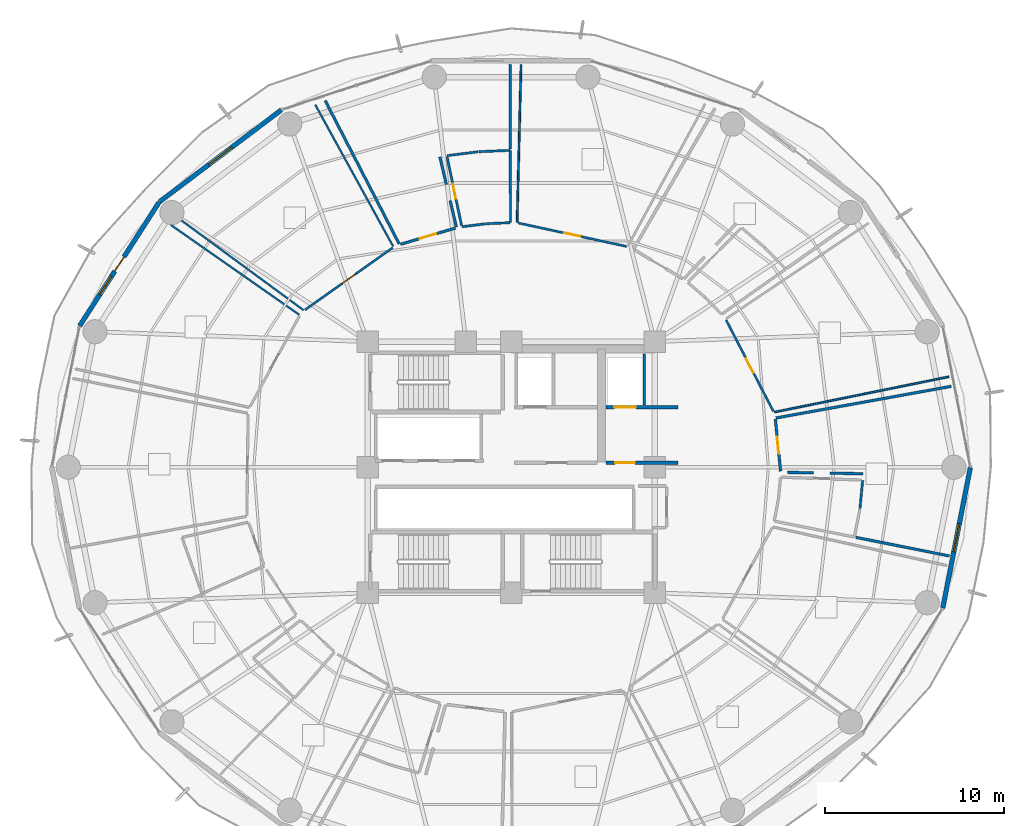
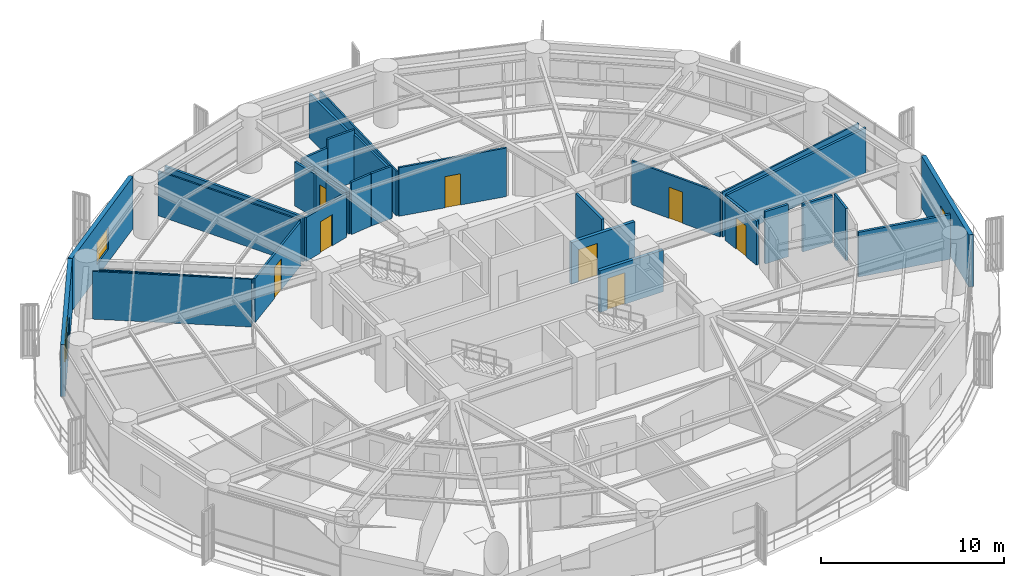
# One storey, part 31 of 35: 31 walls, 9 doors, 3 windows, 12 openings.
"""IFC4 building model written with IfcOpenShell, lengths in metres."""

from ifc_helpers import new_model, si_unit, direction, frame, frame_2d, origin, place, context, subcontext, project, spatial, rectangle, extrude, material, layer, layer_set, type_object, element, fill, save


model = new_model("IFC4")

# Units and contexts
model_context = context("Model", 3, precision=1e-05, world=origin(), true_north=direction((0.0, 1.0)))
body_context = subcontext(model_context, "Body", "Model", "MODEL_VIEW")
ifc_project = project(units=[si_unit("LENGTHUNIT", "METRE"), si_unit("AREAUNIT", "SQUARE_METRE"), si_unit("VOLUMEUNIT", "CUBIC_METRE"), si_unit("PLANEANGLEUNIT", "RADIAN"), si_unit("MASSUNIT", "GRAM", prefix="KILO")], contexts=[model_context])

# Site, building, storey
site_placement = place(None, origin())
site = spatial("IfcSite", under=ifc_project, at=site_placement, CompositionType="ELEMENT")
building_placement = place(site_placement, origin())
building = spatial("IfcBuilding", under=site, at=building_placement, Name="Kelanora Arch Commons", CompositionType="ELEMENT")
storey_placement = place(building_placement, frame((0.0, 0.0, 117.60009765625)))
storey = spatial("IfcBuildingStorey", under=building, at=storey_placement, Name="L30", CompositionType="ELEMENT", Elevation=117.60009765625)

# Wall
ifc_material_1 = material(Name="Autoclaved aerated concrete blockwork with fire plaster", Category="masonry")
ifc_layer_1 = layer(ifc_material_1, 0.14990234375)
ifc_layer_set_1 = layer_set([ifc_layer_1], Name="Autoclaved aerated concrete blockwork with fire plaster")
wall_type_1 = type_object("IfcWallType", Name="W-COMP-150", PredefinedType="PARTITIONING", material=ifc_layer_set_1)
wall_1_placement = place(storey_placement, frame((81.419921875, 61.47998046875, 0.0), z_axis=(0.0, 0.0, 1.0), x_axis=(0.0, 1.0, 0.0)))
element("IfcWall", 1, at=wall_1_placement, inside=storey, type_object=wall_type_1, Name="Firefighting Lift 2 East Shaft Wall L30", PredefinedType="PARTITIONING", context=body_context, shape_type="SweptSolid", body=[
    extrude(rectangle(XDim=2.840087890625, YDim=0.14990234375, at=frame_2d((1.419921875, 0.0))), origin(), (0.0, 0.0, 1.0), 3.47998046875),
])

# Wall, opening, door
wall_2_placement = place(storey_placement, frame((70.900390625, 71.3310546875, 0.0), z_axis=(0.0, 0.0, 1.0), x_axis=(-0.958905255717, -0.283726471373, 0.0)))
wall_2 = element("IfcWall", 2, at=wall_2_placement, inside=storey, type_object=wall_type_1, Name="Co-Living Studio L30-03 Entry Partition", PredefinedType="PARTITIONING", context=body_context, shape_type="SweptSolid", body=[
    extrude(rectangle(XDim=3.193115234375, YDim=0.14990234375, at=frame_2d((1.5966796875, 0.0))), origin(), (0.0, 0.0, 1.0), 2.9248046875),
])
opening_1_placement = place(wall_2_placement, frame((1.1220703125, 0.0, 0.0)))
opening_1 = element("IfcOpeningElement", 3, at=opening_1_placement, cuts=wall_2, Name="Opening D-CLU1", PredefinedType="OPENING", context=body_context, shape_type="SweptSolid", body=[
    extrude(rectangle(XDim=0.949951171875, YDim=2.080078125, at=frame_2d((0.47509765625, 1.0400390625))), frame((0.0, 0.0849609375, 0.0), z_axis=(0.0, -1.0, 0.0), x_axis=(1.0, 0.0, 0.0)), (0.0, 0.0, 1.0), 0.169921875),
])
ifc_material_2 = material(Name="Solid-core acoustic timber cluster entry fire door", Category="wood")
door_type_1 = type_object("IfcDoorType", Name="D-CLU-95", OperationType="NOTDEFINED", PredefinedType="DOOR", material=ifc_material_2)
door_1_placement = place(opening_1_placement, origin())
door_1 = element("IfcDoor", 4, at=door_1_placement, inside=storey, type_object=door_type_1, Name="Co-Living Studio L30-03 Door", OperationType="SINGLE_SWING_LEFT", OverallHeight=2.080078125, OverallWidth=0.949951171875, PredefinedType="DOOR", context=body_context, shape_type="SweptSolid", body=[
    extrude(rectangle(XDim=0.949951171875, YDim=2.080078125, at=frame_2d((0.47509765625, 1.0400390625))), frame((0.0, 0.02490234375, 0.0), z_axis=(0.0, -1.0, 0.0), x_axis=(1.0, 0.0, 0.0)), (0.0, 0.0, 1.0), 0.050048828125),
])
fill(opening_1, door_1)

wall_3_placement = place(storey_placement, frame((89.02099609375, 57.77880859375, 0.0), z_axis=(0.0, 0.0, 1.0), x_axis=(-0.099902017985, 0.994997279797, 0.0)))
wall_3 = element("IfcWall", 5, at=wall_3_placement, inside=storey, type_object=wall_type_1, Name="Co-Living Studio L30-13 Entry Partition", PredefinedType="PARTITIONING", context=body_context, shape_type="SweptSolid", body=[
    extrude(rectangle(XDim=2.9130859375, YDim=0.14990234375, at=frame_2d((1.45654296875, 0.0))), origin(), (0.0, 0.0, 1.0), 2.9248046875),
])
opening_2_placement = place(wall_3_placement, frame((0.98193359375, 0.0, 0.0)))
opening_2 = element("IfcOpeningElement", 6, at=opening_2_placement, cuts=wall_3, Name="Opening D-CLU1", PredefinedType="OPENING", context=body_context, shape_type="SweptSolid", body=[
    extrude(rectangle(XDim=0.949951171875, YDim=2.080078125, at=frame_2d((0.47509765625, 1.0400390625))), frame((0.0, 0.0849609375, 0.0), z_axis=(0.0, -1.0, 0.0), x_axis=(1.0, 0.0, 0.0)), (0.0, 0.0, 1.0), 0.169921875),
])
door_2_placement = place(opening_2_placement, origin())
door_2 = element("IfcDoor", 7, at=door_2_placement, inside=storey, type_object=door_type_1, Name="Co-Living Studio L30-13 Door", OperationType="SINGLE_SWING_LEFT", OverallHeight=2.080078125, OverallWidth=0.949951171875, PredefinedType="DOOR", context=body_context, shape_type="SweptSolid", body=[
    extrude(rectangle(XDim=0.949951171875, YDim=2.080078125, at=frame_2d((0.47509765625, 1.0400390625))), frame((0.0, 0.02490234375, 0.0), z_axis=(0.0, -1.0, 0.0), x_axis=(1.0, 0.0, 0.0)), (0.0, 0.0, 1.0), 0.050048828125),
])
fill(opening_2, door_2)

# Walls
wall_4_placement = place(storey_placement, frame((67.7626953125, 70.443603515625, 0.0), z_axis=(0.0, 0.0, 1.0), x_axis=(-0.458694817529, 0.888593869196, 0.0)))
element("IfcWall", 8, at=wall_4_placement, inside=storey, type_object=wall_type_1, Name="Co-Living Studio L30-03 Enclosure Partition 2", PredefinedType="PARTITIONING", context=body_context, shape_type="SweptSolid", body=[
    extrude(rectangle(XDim=8.987060546875, YDim=0.14990234375, at=frame_2d((4.49365234375, 0.0))), origin(), (0.0, 0.0, 1.0), 2.974853515625),
])
wall_5_placement = place(storey_placement, frame((73.944091796875, 80.43994140625, 0.0), z_axis=(0.0, 0.0, 1.0), x_axis=(0.002493887397, -0.999996890258, 0.0)))
element("IfcWall", 9, at=wall_5_placement, inside=storey, type_object=wall_type_1, Name="Co-Living Studio L30-03 Enclosure Partition 5", PredefinedType="PARTITIONING", context=body_context, shape_type="SweptSolid", body=[
    extrude(rectangle(XDim=4.698974609375, YDim=0.14990234375, at=frame_2d((2.349609375, 0.0))), origin(), (0.0, 0.0, 1.0), 2.974853515625),
])
wall_6_placement = place(storey_placement, frame((70.031005859375, 75.296142578125, 0.0), z_axis=(0.0, 0.0, 1.0), x_axis=(0.228651551475, -0.973508329707, 0.0)))
element("IfcWall", 10, at=wall_6_placement, inside=storey, type_object=wall_type_1, Name="Co-Living Studio L30-03 Enclosure Partition 7", PredefinedType="PARTITIONING", context=body_context, shape_type="SweptSolid", body=[
    extrude(rectangle(XDim=1.5791015625, YDim=0.14990234375, at=frame_2d((0.78955078125, 0.0))), origin(), (0.0, 0.0, 1.0), 2.9248046875),
])
wall_7_placement = place(storey_placement, frame((70.602294921875, 72.86279296875, 0.0), z_axis=(0.0, 0.0, 1.0), x_axis=(0.228680272693, -0.973501583399, 0.0)))
element("IfcWall", 11, at=wall_7_placement, inside=storey, type_object=wall_type_1, Name="Co-Living Studio L30-03 Enclosure Partition 7", PredefinedType="PARTITIONING", context=body_context, shape_type="SweptSolid", body=[
    extrude(rectangle(XDim=1.51611328125, YDim=0.14990234375, at=frame_2d((0.758056640625, 0.0))), origin(), (0.0, 0.0, 1.0), 2.9248046875),
])
wall_8_placement = place(storey_placement, frame((88.763427734375, 60.744140625, 0.0), z_axis=(0.0, 0.0, 1.0), x_axis=(0.984081766615, 0.177716281237, 0.0)))
element("IfcWall", 12, at=wall_8_placement, inside=storey, type_object=wall_type_1, Name="Co-Living Studio L30-13 Enclosure Partition 2", PredefinedType="PARTITIONING", context=body_context, shape_type="SweptSolid", body=[
    extrude(rectangle(XDim=9.924072265625, YDim=0.14990234375, at=frame_2d((4.9619140625, 0.0))), origin(), (0.0, 0.0, 1.0), 2.974853515625),
])
wall_9_placement = place(storey_placement, frame((98.4248046875, 53.0546875, 0.0), z_axis=(0.0, 0.0, 1.0), x_axis=(-0.980779700981, 0.195118369572, 0.0)))
element("IfcWall", 13, at=wall_9_placement, inside=storey, type_object=wall_type_1, Name="Co-Living Studio L30-13 Enclosure Partition 5", PredefinedType="PARTITIONING", context=body_context, shape_type="SweptSolid", body=[
    extrude(rectangle(XDim=5.31787109375, YDim=0.14990234375, at=frame_2d((2.658935546875, 0.0))), origin(), (0.0, 0.0, 1.0), 2.974853515625),
])
wall_10_placement = place(storey_placement, frame((93.60888671875, 57.6357421875, 0.0), z_axis=(0.0, 0.0, 1.0), x_axis=(-0.999835456222, 0.018140024286, 0.0)))
element("IfcWall", 14, at=wall_10_placement, inside=storey, type_object=wall_type_1, Name="Co-Living Studio L30-13 Enclosure Partition 7", PredefinedType="PARTITIONING", context=body_context, shape_type="SweptSolid", body=[
    extrude(rectangle(XDim=1.830322265625, YDim=0.14990234375, at=frame_2d((0.9150390625, 0.0))), origin(), (0.0, 0.0, 1.0), 3.1748046875),
])
wall_11_placement = place(storey_placement, frame((90.85888671875, 57.685791015625, 0.0), z_axis=(0.0, 0.0, 1.0), x_axis=(-0.999835980019, 0.018111130838, 0.0)))
element("IfcWall", 15, at=wall_11_placement, inside=storey, type_object=wall_type_1, Name="Co-Living Studio L30-13 Enclosure Partition 7", PredefinedType="PARTITIONING", context=body_context, shape_type="SweptSolid", body=[
    extrude(rectangle(XDim=1.4423828125, YDim=0.14990234375, at=frame_2d((0.72119140625, 0.0))), origin(), (0.0, 0.0, 1.0), 3.47998046875),
])

# Wall, opening, window
ifc_material_3 = material(Name="Precast concrete C40/50 with terracotta rainscreen", Category="masonry")
ifc_layer_2 = layer(ifc_material_3, 0.260009765625)
ifc_layer_set_2 = layer_set([ifc_layer_2], Name="Precast concrete C40/50 with terracotta rainscreen")
wall_type_2 = type_object("IfcWallType", Name="W-EXT-TC", PredefinedType="SOLIDWALL", material=ifc_layer_set_2)
wall_12_placement = place(storey_placement, frame((61.18798828125, 77.90966796875, 0.0), z_axis=(0.0, 0.0, 1.0), x_axis=(-0.798501507879, -0.601992808857, 0.0)))
wall_12 = element("IfcWall", 16, at=wall_12_placement, inside=storey, type_object=wall_type_2, Name="Terracotta Exterior Wall L30-B06", PredefinedType="SOLIDWALL", context=body_context, shape_type="SweptSolid", body=[
    extrude(rectangle(XDim=8.499267578125, YDim=0.260009765625, at=frame_2d((4.24951171875, 0.0))), origin(), (0.0, 0.0, 1.0), 3.474853515625),
])
opening_3_placement = place(wall_12_placement, frame((3.449951171875, 0.0, 0.85009765625)))
opening_3 = element("IfcOpeningElement", 17, at=opening_3_placement, cuts=wall_12, Name="Opening WN-01", PredefinedType="OPENING", context=body_context, shape_type="SweptSolid", body=[
    extrude(rectangle(XDim=1.60009765625, YDim=1.449951171875, at=frame_2d((0.800048828125, 0.72509765625))), frame((0.0, 0.14013671875, 0.0), z_axis=(0.0, -1.0, 0.0), x_axis=(1.0, 0.0, 0.0)), (0.0, 0.0, 1.0), 0.280029296875),
])
ifc_material_4 = material(Name="Terracotta-anodised aluminium frame with operable low-E glazing", Category="masonry")
window_type_1 = type_object("IfcWindowType", Name="WIN-CL-18", PartitioningType="DOUBLE_PANEL_VERTICAL", PredefinedType="WINDOW", material=ifc_material_4)
window_1_placement = place(opening_3_placement, origin())
window_1 = element("IfcWindow", 18, at=window_1_placement, inside=storey, type_object=window_type_1, Name="Co-Living Operable Window L30-B06", OverallHeight=1.449951171875, OverallWidth=1.60009765625, PartitioningType="SINGLE_PANEL", PredefinedType="WINDOW", context=body_context, shape_type="SweptSolid", body=[
    extrude(rectangle(XDim=1.60009765625, YDim=1.449951171875, at=frame_2d((0.800048828125, 0.72509765625))), frame((0.0, 0.030029296875, 0.0), z_axis=(0.0, -1.0, 0.0), x_axis=(1.0, 0.0, 0.0)), (0.0, 0.0, 1.0), 0.06005859375),
])
fill(opening_3, window_1)

# Wall, openings, door, window
wall_13_placement = place(storey_placement, frame((54.381103515625, 72.771484375, 0.0), z_axis=(0.0, 0.0, 1.0), x_axis=(-0.540620528459, -0.841266571432, 0.0)))
wall_13 = element("IfcWall", 19, at=wall_13_placement, inside=storey, type_object=wall_type_2, Name="Terracotta Exterior Wall L30-B07", PredefinedType="SOLIDWALL", context=body_context, shape_type="SweptSolid", body=[
    extrude(rectangle(XDim=8.19287109375, YDim=0.260009765625, at=frame_2d((4.096435546875, 0.0))), origin(), (0.0, 0.0, 1.0), 3.474853515625),
])
opening_4_placement = place(wall_13_placement, frame((3.62109375, 0.0, 0.0)))
opening_4 = element("IfcOpeningElement", 20, at=opening_4_placement, cuts=wall_13, Name="Opening DB-01", PredefinedType="OPENING", context=body_context, shape_type="SweptSolid", body=[
    extrude(rectangle(XDim=0.949951171875, YDim=2.10009765625, at=frame_2d((0.47509765625, 1.050048828125))), frame((0.0, 0.14013671875, 0.0), z_axis=(0.0, -1.0, 0.0), x_axis=(1.0, 0.0, 0.0)), (0.0, 0.0, 1.0), 0.280029296875),
])
opening_5_placement = place(wall_13_placement, frame((4.9208984375, 0.0, 0.85009765625)))
opening_5 = element("IfcOpeningElement", 21, at=opening_5_placement, cuts=wall_13, Name="Opening WN-02", PredefinedType="OPENING", context=body_context, shape_type="SweptSolid", body=[
    extrude(rectangle(XDim=1.199951171875, YDim=1.449951171875, at=frame_2d((0.60009765625, 0.72509765625))), frame((0.0, 0.14013671875, 0.0), z_axis=(0.0, -1.0, 0.0), x_axis=(1.0, 0.0, 0.0)), (0.0, 0.0, 1.0), 0.280029296875),
])
ifc_material_5 = material(Name="Terracotta-aluminium thermally broken glazed balcony door", Category="masonry")
door_type_2 = type_object("IfcDoorType", Name="D-BAL-10", OperationType="NOTDEFINED", PredefinedType="DOOR", material=ifc_material_5)
door_3_placement = place(opening_4_placement, frame((0.949951171875, 0.0, 0.0), z_axis=(0.0, 0.0, 1.0), x_axis=(-1.0, 0.0, 0.0)))
door_3 = element("IfcDoor", 22, at=door_3_placement, inside=storey, type_object=door_type_2, Name="Wave Balcony Door L30-B07", OperationType="SINGLE_SWING_RIGHT", OverallHeight=2.10009765625, OverallWidth=0.949951171875, PredefinedType="DOOR", context=body_context, shape_type="SweptSolid", body=[
    extrude(rectangle(XDim=0.949951171875, YDim=2.10009765625, at=frame_2d((0.47509765625, 1.050048828125))), frame((0.0, 0.02490234375, 0.0), z_axis=(0.0, -1.0, 0.0), x_axis=(1.0, 0.0, 0.0)), (0.0, 0.0, 1.0), 0.050048828125),
])
fill(opening_4, door_3)
ifc_material_6 = material(Name="Terracotta-anodised aluminium frame with operable awning sash", Category="masonry")
window_type_2 = type_object("IfcWindowType", Name="WIN-CL-12", PartitioningType="SINGLE_PANEL", PredefinedType="WINDOW", material=ifc_material_6)
window_2_placement = place(opening_5_placement, origin())
window_2 = element("IfcWindow", 23, at=window_2_placement, inside=storey, type_object=window_type_2, Name="Co-Living Operable Window L30-B07", OverallHeight=1.449951171875, OverallWidth=1.199951171875, PartitioningType="SINGLE_PANEL", PredefinedType="WINDOW", context=body_context, shape_type="SweptSolid", body=[
    extrude(rectangle(XDim=1.199951171875, YDim=1.449951171875, at=frame_2d((0.60009765625, 0.72509765625))), frame((0.0, 0.030029296875, 0.0), z_axis=(0.0, -1.0, 0.0), x_axis=(1.0, 0.0, 0.0)), (0.0, 0.0, 1.0), 0.06005859375),
])
fill(opening_5, window_2)

# Wall, opening, window
wall_14_placement = place(storey_placement, frame((98.05908203125, 50.148193359375, 0.0), z_axis=(0.0, 0.0, 1.0), x_axis=(0.192581843632, 0.981280914674, 0.0)))
wall_14 = element("IfcWall", 24, at=wall_14_placement, inside=storey, type_object=wall_type_2, Name="Terracotta Exterior Wall L30-B17", PredefinedType="SOLIDWALL", context=body_context, shape_type="SweptSolid", body=[
    extrude(rectangle(XDim=7.986572265625, YDim=0.260009765625, at=frame_2d((3.9931640625, 0.0))), origin(), (0.0, 0.0, 1.0), 3.474853515625),
])
opening_6_placement = place(wall_14_placement, frame((3.193115234375, 0.0, 0.85009765625)))
opening_6 = element("IfcOpeningElement", 25, at=opening_6_placement, cuts=wall_14, Name="Opening WN-01", PredefinedType="OPENING", context=body_context, shape_type="SweptSolid", body=[
    extrude(rectangle(XDim=1.60009765625, YDim=1.449951171875, at=frame_2d((0.800048828125, 0.72509765625))), frame((0.0, 0.14013671875, 0.0), z_axis=(0.0, -1.0, 0.0), x_axis=(1.0, 0.0, 0.0)), (0.0, 0.0, 1.0), 0.280029296875),
])
window_3_placement = place(opening_6_placement, origin())
window_3 = element("IfcWindow", 26, at=window_3_placement, inside=storey, type_object=window_type_1, Name="Co-Living Operable Window L30-B17", OverallHeight=1.449951171875, OverallWidth=1.60009765625, PartitioningType="SINGLE_PANEL", PredefinedType="WINDOW", context=body_context, shape_type="SweptSolid", body=[
    extrude(rectangle(XDim=1.60009765625, YDim=1.449951171875, at=frame_2d((0.800048828125, 0.72509765625))), frame((0.0, 0.030029296875, 0.0), z_axis=(0.0, -1.0, 0.0), x_axis=(1.0, 0.0, 0.0)), (0.0, 0.0, 1.0), 0.06005859375),
])
fill(opening_6, window_3)

# Wall, opening, door
ifc_material_7 = material(Name="Concrete C40/50", Category="concrete")
ifc_layer_3 = layer(ifc_material_7, 0.199951171875)
ifc_layer_set_3 = layer_set([ifc_layer_3], Name="Concrete C40/50")
wall_type_3 = type_object("IfcWallType", Name="W-FFL-200", PredefinedType="SOLIDWALL", material=ifc_layer_set_3)
wall_15_placement = place(storey_placement, frame((79.300048828125, 61.35009765625, 0.0), z_axis=(0.0, 0.0, 1.0), x_axis=(1.0, 0.0, 0.0)))
wall_15 = element("IfcWall", 27, at=wall_15_placement, inside=storey, type_object=wall_type_3, Name="Firefighting Lift 2 Shaft Front L30", PredefinedType="SOLIDWALL", context=body_context, shape_type="SweptSolid", body=[
    extrude(rectangle(XDim=4.0, YDim=0.199951171875, at=frame_2d((2.0, 0.0))), origin(), (0.0, 0.0, 1.0), 2.77490234375),
])
opening_7_placement = place(wall_15_placement, frame((0.449951171875, 0.0, 0.0)))
opening_7 = element("IfcOpeningElement", 28, at=opening_7_placement, cuts=wall_15, Name="Opening LD-FF", PredefinedType="OPENING", context=body_context, shape_type="SweptSolid", body=[
    extrude(rectangle(XDim=1.199951171875, YDim=2.14990234375, at=frame_2d((0.60009765625, 1.074951171875))), frame((0.0, 0.10986328125, 0.0), z_axis=(0.0, -1.0, 0.0), x_axis=(1.0, 0.0, 0.0)), (0.0, 0.0, 1.0), 0.219970703125),
])
ifc_material_8 = material(Name="Fire-rated firefighters lift sliding landing door")
door_type_3 = type_object("IfcDoorType", Name="D-LIFT-FF", OperationType="NOTDEFINED", PredefinedType="DOOR", material=ifc_material_8)
door_4_placement = place(opening_7_placement, origin())
door_4 = element("IfcDoor", 29, at=door_4_placement, inside=storey, type_object=door_type_3, Name="Firefighting Lift LF-FF2 Landing Door L30", OperationType="DOUBLE_DOOR_SLIDING", OverallHeight=2.14990234375, OverallWidth=1.199951171875, PredefinedType="DOOR", context=body_context, shape_type="SweptSolid", body=[
    extrude(rectangle(XDim=1.199951171875, YDim=2.14990234375, at=frame_2d((0.60009765625, 1.074951171875))), frame((0.0, 0.02490234375, 0.0), z_axis=(0.0, -1.0, 0.0), x_axis=(1.0, 0.0, 0.0)), (0.0, 0.0, 1.0), 0.050048828125),
])
fill(opening_7, door_4)

wall_16_placement = place(storey_placement, frame((79.300048828125, 58.25, 0.0), z_axis=(0.0, 0.0, 1.0), x_axis=(1.0, 0.0, 0.0)))
wall_16 = element("IfcWall", 30, at=wall_16_placement, inside=storey, type_object=wall_type_3, Name="Firefighting Lobby 2 Enclosure Wall L30", PredefinedType="SOLIDWALL", context=body_context, shape_type="SweptSolid", body=[
    extrude(rectangle(XDim=4.0, YDim=0.199951171875, at=frame_2d((2.0, 0.0))), origin(), (0.0, 0.0, 1.0), 2.77490234375),
])
opening_8_placement = place(wall_16_placement, frame((0.5, 0.0, 0.0)))
opening_8 = element("IfcOpeningElement", 31, at=opening_8_placement, cuts=wall_16, Name="Opening D-FFL1", PredefinedType="OPENING", context=body_context, shape_type="SweptSolid", body=[
    extrude(rectangle(XDim=1.10009765625, YDim=2.10009765625, at=frame_2d((0.550048828125, 1.050048828125))), frame((0.0, 0.10986328125, 0.0), z_axis=(0.0, -1.0, 0.0), x_axis=(1.0, 0.0, 0.0)), (0.0, 0.0, 1.0), 0.219970703125),
])
ifc_material_9 = material(Name="Smoke-sealed firefighting lobby fire door")
door_type_4 = type_object("IfcDoorType", Name="D-FFL-110", OperationType="NOTDEFINED", PredefinedType="DOOR", material=ifc_material_9)
door_5_placement = place(opening_8_placement, frame((1.10009765625, 0.0, 0.0), z_axis=(0.0, 0.0, 1.0), x_axis=(-1.0, 0.0, 0.0)))
door_5 = element("IfcDoor", 32, at=door_5_placement, inside=storey, type_object=door_type_4, Name="Firefighting Lobby 2 Door L30", OperationType="SINGLE_SWING_RIGHT", OverallHeight=2.10009765625, OverallWidth=1.10009765625, PredefinedType="DOOR", context=body_context, shape_type="SweptSolid", body=[
    extrude(rectangle(XDim=1.10009765625, YDim=2.10009765625, at=frame_2d((0.550048828125, 1.050048828125))), frame((0.0, 0.02490234375, 0.0), z_axis=(0.0, -1.0, 0.0), x_axis=(1.0, 0.0, 0.0)), (0.0, 0.0, 1.0), 0.050048828125),
])
fill(opening_8, door_5)

# Walls
ifc_material_10 = material(Name="Lightweight fire-rated acoustic stud partition")
ifc_layer_4 = layer(ifc_material_10, 0.10009765625)
ifc_layer_set_4 = layer_set([ifc_layer_4], Name="Lightweight fire-rated acoustic stud partition")
wall_type_4 = type_object("IfcWallType", Name="W-PART-100", PredefinedType="PARTITIONING", material=ifc_layer_set_4)
wall_17_placement = place(storey_placement, frame((74.333984375, 71.6669921875, 0.0), z_axis=(0.0, 0.0, 1.0), x_axis=(0.025193894125, 0.999682583473, 0.0)))
element("IfcWall", 33, at=wall_17_placement, inside=storey, type_object=wall_type_4, Name="Communal Dining and Social Hall L30-02 Enclosure Partition 2", PredefinedType="PARTITIONING", context=body_context, shape_type="SweptSolid", body=[
    extrude(rectangle(XDim=8.769775390625, YDim=0.10009765625, at=frame_2d((4.384765625, 0.0))), origin(), (0.0, 0.0, 1.0), 2.974853515625),
])
wall_18_placement = place(storey_placement, frame((62.427734375, 66.756591796875, 0.0), z_axis=(0.0, 0.0, 1.0), x_axis=(-0.805852200235, 0.592116737963, 0.0)))
element("IfcWall", 34, at=wall_18_placement, inside=storey, type_object=wall_type_4, Name="Social Sky Lounge L30-04 Enclosure Partition 2", PredefinedType="PARTITIONING", context=body_context, shape_type="SweptSolid", body=[
    extrude(rectangle(XDim=8.429931640625, YDim=0.10009765625, at=frame_2d((4.21484375, 0.0))), origin(), (0.0, 0.0, 1.0), 2.9248046875),
])
wall_19_placement = place(storey_placement, frame((63.08740234375, 78.197021484375, 0.0), z_axis=(0.0, 0.0, 1.0), x_axis=(0.481837612944, -0.876260529039, 0.0)))
element("IfcWall", 35, at=wall_19_placement, inside=storey, type_object=wall_type_4, Name="Social Sky Lounge L30-04 Enclosure Partition 4", PredefinedType="PARTITIONING", context=body_context, shape_type="SweptSolid", body=[
    extrude(rectangle(XDim=9.010009765625, YDim=0.10009765625, at=frame_2d((4.5048828125, 0.0))), origin(), (0.0, 0.0, 1.0), 2.974853515625),
])
wall_20_placement = place(storey_placement, frame((55.04736328125, 71.494384765625, 0.0), z_axis=(0.0, 0.0, 1.0), x_axis=(0.8195552972, -0.573000100201, 0.0)))
element("IfcWall", 36, at=wall_20_placement, inside=storey, type_object=wall_type_4, Name="Quiet Seminar Study Room L30-05 Enclosure Partition 4", PredefinedType="PARTITIONING", context=body_context, shape_type="SweptSolid", body=[
    extrude(rectangle(XDim=8.7216796875, YDim=0.10009765625, at=frame_2d((4.36083984375, 0.0))), origin(), (0.0, 0.0, 1.0), 3.1748046875),
])
wall_21_placement = place(storey_placement, frame((98.39990234375, 63.04296875, 0.0), z_axis=(0.0, 0.0, 1.0), x_axis=(-0.980013960975, -0.198928721641, 0.0)))
element("IfcWall", 37, at=wall_21_placement, inside=storey, type_object=wall_type_4, Name="Communal Dining and Social Hall L30-14 Enclosure Partition 4", PredefinedType="PARTITIONING", context=body_context, shape_type="SweptSolid", body=[
    extrude(rectangle(XDim=9.91259765625, YDim=0.10009765625, at=frame_2d((4.956298828125, 0.0))), origin(), (0.0, 0.0, 1.0), 2.974853515625),
])

# Wall, opening, door
ifc_material_11 = material(Name="Acoustic twin-stud fire-rated gypsum partition")
ifc_layer_5 = layer(ifc_material_11, 0.1201171875)
ifc_layer_set_5 = layer_set([ifc_layer_5], Name="Acoustic twin-stud fire-rated gypsum partition")
wall_type_5 = type_object("IfcWallType", Name="W-PART-120", PredefinedType="PARTITIONING", material=ifc_layer_set_5)
wall_22_placement = place(storey_placement, frame((80.432373046875, 70.3056640625, 0.0), z_axis=(0.0, 0.0, 1.0), x_axis=(-0.977331177519, 0.211716247484, 0.0)))
wall_22 = element("IfcWall", 38, at=wall_22_placement, inside=storey, type_object=wall_type_5, Name="Communal Dining and Social Hall L30-02 Entry Partition", PredefinedType="PARTITIONING", context=body_context, shape_type="SweptSolid", body=[
    extrude(rectangle(XDim=6.180908203125, YDim=0.1201171875, at=frame_2d((3.09033203125, 0.0))), origin(), (0.0, 0.0, 1.0), 3.23486328125),
])
opening_9_placement = place(wall_22_placement, frame((2.639892578125, 0.0, 0.0)))
opening_9 = element("IfcOpeningElement", 39, at=opening_9_placement, cuts=wall_22, Name="Opening D-RM1", PredefinedType="OPENING", context=body_context, shape_type="SweptSolid", body=[
    extrude(rectangle(XDim=0.89990234375, YDim=2.080078125, at=frame_2d((0.449951171875, 1.0400390625))), frame((0.0, 0.070068359375, 0.0), z_axis=(0.0, -1.0, 0.0), x_axis=(1.0, 0.0, 0.0)), (0.0, 0.0, 1.0), 0.14013671875),
])
ifc_material_12 = material(Name="Acoustic fire-rated timber study and lounge door", Category="wood")
door_type_5 = type_object("IfcDoorType", Name="D-ROOM-90", OperationType="NOTDEFINED", PredefinedType="DOOR", material=ifc_material_12)
door_6_placement = place(opening_9_placement, origin())
door_6 = element("IfcDoor", 40, at=door_6_placement, inside=storey, type_object=door_type_5, Name="Communal Dining and Social Hall L30-02 Door", OperationType="SINGLE_SWING_LEFT", OverallHeight=2.080078125, OverallWidth=0.89990234375, PredefinedType="DOOR", context=body_context, shape_type="SweptSolid", body=[
    extrude(rectangle(XDim=0.89990234375, YDim=2.080078125, at=frame_2d((0.449951171875, 1.0400390625))), frame((0.0, 0.02490234375, 0.0), z_axis=(0.0, -1.0, 0.0), x_axis=(1.0, 0.0, 0.0)), (0.0, 0.0, 1.0), 0.050048828125),
])
fill(opening_9, door_6)

wall_23_placement = place(storey_placement, frame((67.39892578125, 70.232421875, 0.0), z_axis=(0.0, 0.0, 1.0), x_axis=(-0.815932399176, -0.578147316846, 0.0)))
wall_23 = element("IfcWall", 41, at=wall_23_placement, inside=storey, type_object=wall_type_5, Name="Social Sky Lounge L30-04 Entry Partition", PredefinedType="PARTITIONING", context=body_context, shape_type="SweptSolid", body=[
    extrude(rectangle(XDim=5.992919921875, YDim=0.1201171875, at=frame_2d((2.99658203125, 0.0))), origin(), (0.0, 0.0, 1.0), 2.9248046875),
])
opening_10_placement = place(wall_23_placement, frame((2.5458984375, 0.0, 0.0)))
opening_10 = element("IfcOpeningElement", 42, at=opening_10_placement, cuts=wall_23, Name="Opening D-RM1", PredefinedType="OPENING", context=body_context, shape_type="SweptSolid", body=[
    extrude(rectangle(XDim=0.89990234375, YDim=2.080078125, at=frame_2d((0.449951171875, 1.0400390625))), frame((0.0, 0.070068359375, 0.0), z_axis=(0.0, -1.0, 0.0), x_axis=(1.0, 0.0, 0.0)), (0.0, 0.0, 1.0), 0.14013671875),
])
door_7_placement = place(opening_10_placement, origin())
door_7 = element("IfcDoor", 43, at=door_7_placement, inside=storey, type_object=door_type_5, Name="Social Sky Lounge L30-04 Door", OperationType="SINGLE_SWING_RIGHT", OverallHeight=2.080078125, OverallWidth=0.89990234375, PredefinedType="DOOR", context=body_context, shape_type="SweptSolid", body=[
    extrude(rectangle(XDim=0.89990234375, YDim=2.080078125, at=frame_2d((0.449951171875, 1.0400390625))), frame((0.0, 0.02490234375, 0.0), z_axis=(0.0, -1.0, 0.0), x_axis=(1.0, 0.0, 0.0)), (0.0, 0.0, 1.0), 0.050048828125),
])
fill(opening_10, door_7)

wall_24_placement = place(storey_placement, frame((88.618408203125, 61.1162109375, 0.0), z_axis=(0.0, 0.0, 1.0), x_axis=(-0.459658120373, 0.88809594773, 0.0)))
wall_24 = element("IfcWall", 44, at=wall_24_placement, inside=storey, type_object=wall_type_5, Name="Communal Dining and Social Hall L30-14 Entry Partition", PredefinedType="PARTITIONING", context=body_context, shape_type="SweptSolid", body=[
    extrude(rectangle(XDim=5.73193359375, YDim=0.1201171875, at=frame_2d((2.865966796875, 0.0))), origin(), (0.0, 0.0, 1.0), 2.9248046875),
])
opening_11_placement = place(wall_24_placement, frame((2.416015625, 0.0, 0.0)))
opening_11 = element("IfcOpeningElement", 45, at=opening_11_placement, cuts=wall_24, Name="Opening D-RM1", PredefinedType="OPENING", context=body_context, shape_type="SweptSolid", body=[
    extrude(rectangle(XDim=0.89990234375, YDim=2.080078125, at=frame_2d((0.449951171875, 1.0400390625))), frame((0.0, 0.070068359375, 0.0), z_axis=(0.0, -1.0, 0.0), x_axis=(1.0, 0.0, 0.0)), (0.0, 0.0, 1.0), 0.14013671875),
])
door_8_placement = place(opening_11_placement, origin())
door_8 = element("IfcDoor", 46, at=door_8_placement, inside=storey, type_object=door_type_5, Name="Communal Dining and Social Hall L30-14 Door", OperationType="SINGLE_SWING_RIGHT", OverallHeight=2.080078125, OverallWidth=0.89990234375, PredefinedType="DOOR", context=body_context, shape_type="SweptSolid", body=[
    extrude(rectangle(XDim=0.89990234375, YDim=2.080078125, at=frame_2d((0.449951171875, 1.0400390625))), frame((0.0, 0.02490234375, 0.0), z_axis=(0.0, -1.0, 0.0), x_axis=(1.0, 0.0, 0.0)), (0.0, 0.0, 1.0), 0.050048828125),
])
fill(opening_11, door_8)

ifc_material_13 = material(Name="Moisture-resistant fire-rated cement-board plumbing wall")
ifc_layer_6 = layer(ifc_material_13, 0.1298828125)
ifc_layer_set_6 = layer_set([ifc_layer_6], Name="Moisture-resistant fire-rated cement-board plumbing wall")
wall_type_6 = type_object("IfcWallType", Name="W-WET-120", PredefinedType="PLUMBINGWALL", material=ifc_layer_set_6)
wall_25_placement = place(storey_placement, frame((71.24169921875, 71.459716796875, 0.0), z_axis=(0.0, 0.0, 1.0), x_axis=(-0.206652168131, 0.97841447322, 0.0)))
wall_25 = element("IfcWall", 47, at=wall_25_placement, inside=storey, type_object=wall_type_6, Name="En-Suite Shower WC L30-03 Entry Partition", PredefinedType="PLUMBINGWALL", context=body_context, shape_type="SweptSolid", body=[
    extrude(rectangle(XDim=3.9306640625, YDim=0.1298828125, at=frame_2d((1.96533203125, 0.0))), origin(), (0.0, 0.0, 1.0), 2.9248046875),
])
opening_12_placement = place(wall_25_placement, frame((1.534912109375, 0.0, 0.0)))
opening_12 = element("IfcOpeningElement", 48, at=opening_12_placement, cuts=wall_25, Name="Opening D-BT1", PredefinedType="OPENING", context=body_context, shape_type="SweptSolid", body=[
    extrude(rectangle(XDim=0.860107421875, YDim=2.050048828125, at=frame_2d((0.43017578125, 1.02490234375))), frame((0.0, 0.074951171875, 0.0), z_axis=(0.0, -1.0, 0.0), x_axis=(1.0, 0.0, 0.0)), (0.0, 0.0, 1.0), 0.14990234375),
])
ifc_material_14 = material(Name="Moisture-sealed fire-rated accessible bathroom door")
door_type_6 = type_object("IfcDoorType", Name="D-BATH-85", OperationType="NOTDEFINED", PredefinedType="DOOR", material=ifc_material_14)
door_9_placement = place(opening_12_placement, origin())
door_9 = element("IfcDoor", 49, at=door_9_placement, inside=storey, type_object=door_type_6, Name="En-Suite Shower WC L30-03 Door", OperationType="SINGLE_SWING_RIGHT", OverallHeight=2.050048828125, OverallWidth=0.860107421875, PredefinedType="DOOR", context=body_context, shape_type="SweptSolid", body=[
    extrude(rectangle(XDim=0.860107421875, YDim=2.050048828125, at=frame_2d((0.43017578125, 1.02490234375))), frame((0.0, 0.02490234375, 0.0), z_axis=(0.0, -1.0, 0.0), x_axis=(1.0, 0.0, 0.0)), (0.0, 0.0, 1.0), 0.050048828125),
])
fill(opening_12, door_9)

# Walls
wall_26_placement = place(storey_placement, frame((73.946044921875, 71.629150390625, 0.0), z_axis=(0.0, 0.0, 1.0), x_axis=(-0.999067611154, -0.043173004803, 0.0)))
element("IfcWall", 50, at=wall_26_placement, inside=storey, type_object=wall_type_6, Name="En-Suite Shower WC L30-03 Enclosure Partition 1", PredefinedType="PLUMBINGWALL", context=body_context, shape_type="SweptSolid", body=[
    extrude(rectangle(XDim=1.3232421875, YDim=0.1298828125, at=frame_2d((0.66162109375, 0.0))), origin(), (0.0, 0.0, 1.0), 3.47998046875),
])
wall_27_placement = place(storey_placement, frame((72.584228515625, 71.568603515625, 0.0), z_axis=(0.0, 0.0, 1.0), x_axis=(-0.992163718395, -0.124944611333, 0.0)))
element("IfcWall", 51, at=wall_27_placement, inside=storey, type_object=wall_type_6, Name="En-Suite Shower WC L30-03 Enclosure Partition 2", PredefinedType="PLUMBINGWALL", context=body_context, shape_type="SweptSolid", body=[
    extrude(rectangle(XDim=1.32080078125, YDim=0.1298828125, at=frame_2d((0.660400390625, 0.0))), origin(), (0.0, 0.0, 1.0), 3.47998046875),
])
wall_28_placement = place(storey_placement, frame((70.436767578125, 75.366455078125, 0.0), z_axis=(0.0, 0.0, 1.0), x_axis=(0.992223689582, 0.124467464958, 0.0)))
element("IfcWall", 52, at=wall_28_placement, inside=storey, type_object=wall_type_6, Name="En-Suite Shower WC L30-03 Enclosure Partition 4", PredefinedType="PLUMBINGWALL", context=body_context, shape_type="SweptSolid", body=[
    extrude(rectangle(XDim=1.73583984375, YDim=0.1298828125, at=frame_2d((0.867919921875, 0.0))), origin(), (0.0, 0.0, 1.0), 2.9248046875),
])
wall_29_placement = place(storey_placement, frame((72.198974609375, 75.5859375, 0.0), z_axis=(0.0, 0.0, 1.0), x_axis=(0.999088465239, 0.04268768706, 0.0)))
element("IfcWall", 53, at=wall_29_placement, inside=storey, type_object=wall_type_6, Name="En-Suite Shower WC L30-03 Enclosure Partition 5", PredefinedType="PLUMBINGWALL", context=body_context, shape_type="SweptSolid", body=[
    extrude(rectangle(XDim=1.738525390625, YDim=0.1298828125, at=frame_2d((0.869140625, 0.0))), origin(), (0.0, 0.0, 1.0), 3.47998046875),
])
wall_30_placement = place(storey_placement, frame((73.9560546875, 75.64111328125, 0.0), z_axis=(0.0, 0.0, 1.0), x_axis=(0.002507944156, -0.999996855103, 0.0)))
element("IfcWall", 54, at=wall_30_placement, inside=storey, type_object=wall_type_6, Name="En-Suite Shower WC L30-03 Enclosure Partition 6", PredefinedType="PLUMBINGWALL", context=body_context, shape_type="SweptSolid", body=[
    extrude(rectangle(XDim=3.9912109375, YDim=0.1298828125, at=frame_2d((1.99560546875, 0.0))), origin(), (0.0, 0.0, 1.0), 3.1748046875),
])
wall_31_placement = place(storey_placement, frame((93.59521484375, 57.26220703125, 0.0), z_axis=(0.0, 0.0, 1.0), x_axis=(-0.095560666353, -0.995423607841, 0.0)))
element("IfcWall", 55, at=wall_31_placement, inside=storey, type_object=wall_type_6, Name="En-Suite Shower WC L30-13 Enclosure Partition 4", PredefinedType="PLUMBINGWALL", context=body_context, shape_type="SweptSolid", body=[
    extrude(rectangle(XDim=1.5634765625, YDim=0.1298828125, at=frame_2d((0.78173828125, 0.0))), origin(), (0.0, 0.0, 1.0), 3.47998046875),
])

save(model, "model.ifc")
